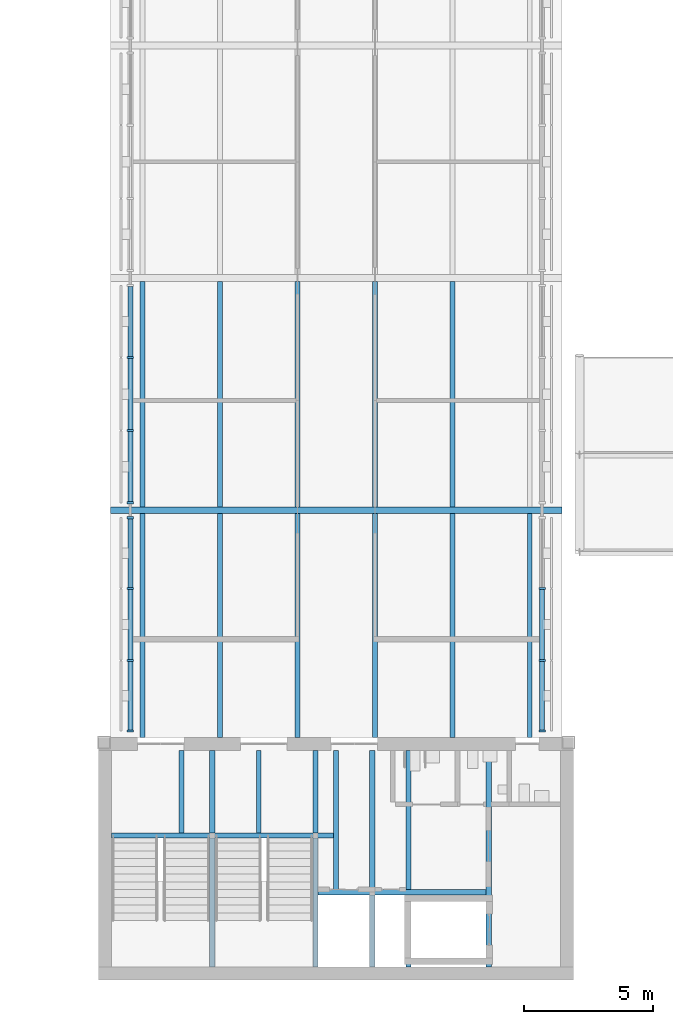
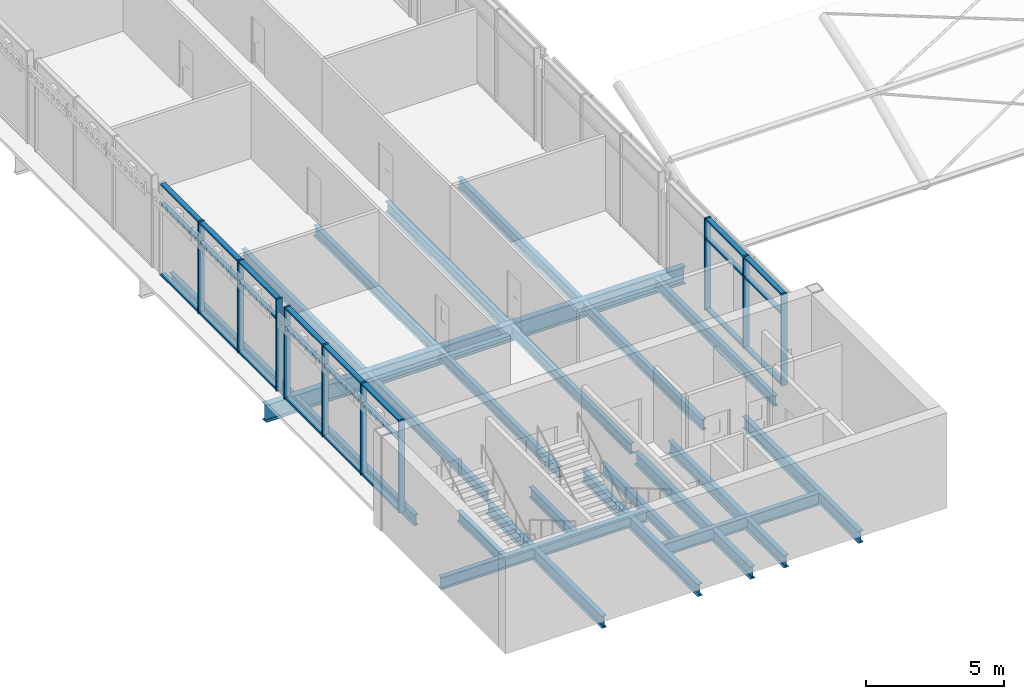
# One storey, part 3 of 54: 34 members, 26 beams, 3 elements without a shape of their own.
"""IFC4 building model written with IfcOpenShell, lengths in metres."""

from ifc_helpers import new_model, si_unit, direction, frame, origin, origin_2d, place, context, subcontext, project, spatial, rectangle, i_section, extrude, material, material_profile, profile_set, type_object, element, aggregate, save


model = new_model("IFC4")

# Units and contexts
model_context = context("Model", 3, precision=1e-05, world=origin(), true_north=direction((0.0, 1.0)))
body_context = subcontext(model_context, "Body", "Model", "MODEL_VIEW")
ifc_project = project(units=[si_unit("LENGTHUNIT", "METRE"), si_unit("AREAUNIT", "SQUARE_METRE"), si_unit("VOLUMEUNIT", "CUBIC_METRE"), si_unit("PLANEANGLEUNIT", "RADIAN"), si_unit("MASSUNIT", "GRAM", prefix="KILO")], contexts=[model_context])

# Site, building, storey
site_placement = place(None, origin())
site = spatial("IfcSite", under=ifc_project, at=site_placement, CompositionType="ELEMENT")
building_placement = place(site_placement, origin())
building = spatial("IfcBuilding", under=site, at=building_placement, Name="Baradari Gate Terminus", CompositionType="ELEMENT")
storey_placement = place(building_placement, frame((0.0, 0.0, 15.89990234375)))
storey = spatial("IfcBuildingStorey", under=building, at=storey_placement, Name="L03", CompositionType="ELEMENT", Elevation=15.89990234375)

# Beams
ifc_material_1 = material(Name="Steel S355", Category="steel")
ifc_material_profile_1 = material_profile(ifc_material_1, i_section(OverallWidth=0.19140625, OverallDepth=0.4599609375, WebThickness=0.010009765625, FlangeThickness=0.01611328125, FilletRadius=0.01025390625, at=origin_2d()), Name="UB 457x191x82")
ifc_profile_set_1 = profile_set([ifc_material_profile_1], Name="Steel S355")
beam_type_1 = type_object("IfcBeamType", Name="Core floor beam B66 UB 457x191x82", PredefinedType="BEAM", material=ifc_profile_set_1)
for number, where, z_axis, x_axis, name in (
    (1, (75.0, 32.504638671875, -0.3798828125), (0.0, 1.0, 0.0), (-1.0, 0.0, 0.0), "Core floor beam B66 75:32.505-35.7 L03"),
    (2, (78.0, 32.504638671875, -0.3798828125), (0.0, 1.0, 0.0), (-1.0, 0.0, 0.0), "Core floor beam B66 78:32.505-35.7 L03"),
):
    element("IfcBeam", number, at=place(storey_placement, frame(where, z_axis=z_axis, x_axis=x_axis)), inside=storey, type_object=beam_type_1, Name=name, PredefinedType="BEAM", context=body_context, shape_type="SweptSolid", body=[
        extrude(i_section(OverallWidth=0.19140625, OverallDepth=0.4599609375, WebThickness=0.010009765625, FlangeThickness=0.01611328125, FilletRadius=0.01025390625, at=origin_2d()), origin(), (0.0, 0.0, 1.0), 3.1953125),
    ])
beam_1_placement = place(storey_placement, frame((81.0, 30.3046875, -0.3798828125), z_axis=(0.0, 1.0, 0.0), x_axis=(-1.0, 0.0, 0.0)))
element("IfcBeam", 3, at=beam_1_placement, inside=storey, type_object=beam_type_1, Name="Core floor beam B66 10:30.305-35.7 L03", PredefinedType="BEAM", context=body_context, shape_type="SweptSolid", body=[
    extrude(i_section(OverallWidth=0.19140625, OverallDepth=0.4599609375, WebThickness=0.010009765625, FlangeThickness=0.01611328125, FilletRadius=0.01025390625, at=origin_2d()), origin(), (0.0, 0.0, 1.0), 5.395263671875),
])
ifc_material_2 = material(Name="Steel S355", Category="steel")
ifc_material_profile_2 = material_profile(ifc_material_2, i_section(OverallWidth=0.209228515625, OverallDepth=0.533203125, WebThickness=0.010009765625, FlangeThickness=0.015625, FilletRadius=0.0126953125, at=origin_2d()), Name="UB 533x210x92")
ifc_profile_set_2 = profile_set([ifc_material_profile_2], Name="Steel S355")
beam_type_2 = type_object("IfcBeamType", Name="Core floor trimmer beam B65 UB 533x210x92", PredefinedType="BEAM", material=ifc_profile_set_2)
beam_2_placement = place(storey_placement, frame((80.3046875, 30.199951171875, -0.41650390625), z_axis=(1.0, 0.0, 0.0), x_axis=(0.0, 1.0, 0.0)))
element("IfcBeam", 4, at=beam_2_placement, inside=storey, type_object=beam_type_2, Name="Core floor trimmer beam B65 30.2:80.305-86.8 L03", PredefinedType="BEAM", context=body_context, shape_type="SweptSolid", body=[
    extrude(i_section(OverallWidth=0.209228515625, OverallDepth=0.533203125, WebThickness=0.010009765625, FlangeThickness=0.015625, FilletRadius=0.0126953125, at=origin_2d()), origin(), (0.0, 0.0, 1.0), 6.49560546875),
])
beam_3_placement = place(storey_placement, frame((72.300048828125, 32.39990234375, -0.41650390625), z_axis=(1.0, 0.0, 0.0), x_axis=(0.0, 1.0, 0.0)))
element("IfcBeam", 5, at=beam_3_placement, inside=storey, type_object=beam_type_2, Name="Core floor trimmer beam B65 32.4:72.3-80.904 L03", PredefinedType="BEAM", context=body_context, shape_type="SweptSolid", body=[
    extrude(i_section(OverallWidth=0.209228515625, OverallDepth=0.533203125, WebThickness=0.010009765625, FlangeThickness=0.015625, FilletRadius=0.0126953125, at=origin_2d()), origin(), (0.0, 0.0, 1.0), 8.604248046875),
])
beam_4_placement = place(storey_placement, frame((86.905029296875, 27.300048828125, -0.41650390625), z_axis=(0.0, 1.0, 0.0), x_axis=(-1.0, 0.0, 0.0)))
element("IfcBeam", 6, at=beam_4_placement, inside=storey, type_object=beam_type_2, Name="Core floor trimmer beam B65 86.905:27.3-35.7 L03", PredefinedType="BEAM", context=body_context, shape_type="SweptSolid", body=[
    extrude(i_section(OverallWidth=0.209228515625, OverallDepth=0.533203125, WebThickness=0.010009765625, FlangeThickness=0.015625, FilletRadius=0.0126953125, at=origin_2d()), origin(), (0.0, 0.0, 1.0), 8.39990234375),
])
beam_5_placement = place(storey_placement, frame((82.39990234375, 27.300048828125, -0.41650390625), z_axis=(0.0, 1.0, 0.0), x_axis=(-1.0, 0.0, 0.0)))
element("IfcBeam", 7, at=beam_5_placement, inside=storey, type_object=beam_type_2, Name="Core floor trimmer beam B65 82.4:27.3-30.095 L03", PredefinedType="BEAM", context=body_context, shape_type="SweptSolid", body=[
    extrude(i_section(OverallWidth=0.209228515625, OverallDepth=0.533203125, WebThickness=0.010009765625, FlangeThickness=0.015625, FilletRadius=0.0126953125, at=origin_2d()), origin(), (0.0, 0.0, 1.0), 2.795166015625),
])
beam_6_placement = place(storey_placement, frame((82.39990234375, 30.3046875, -0.41650390625), z_axis=(0.0, 1.0, 0.0), x_axis=(-1.0, 0.0, 0.0)))
element("IfcBeam", 8, at=beam_6_placement, inside=storey, type_object=beam_type_2, Name="Core floor trimmer beam B65 82.4:30.305-35.7 L03", PredefinedType="BEAM", context=body_context, shape_type="SweptSolid", body=[
    extrude(i_section(OverallWidth=0.209228515625, OverallDepth=0.533203125, WebThickness=0.010009765625, FlangeThickness=0.015625, FilletRadius=0.0126953125, at=origin_2d()), origin(), (0.0, 0.0, 1.0), 5.395263671875),
])
beam_7_placement = place(storey_placement, frame((83.800048828125, 27.300048828125, -0.41650390625), z_axis=(0.0, 1.0, 0.0), x_axis=(-1.0, 0.0, 0.0)))
element("IfcBeam", 9, at=beam_7_placement, inside=storey, type_object=beam_type_2, Name="Core floor trimmer beam B65 83.8:27.3-30.095 L03", PredefinedType="BEAM", context=body_context, shape_type="SweptSolid", body=[
    extrude(i_section(OverallWidth=0.209228515625, OverallDepth=0.533203125, WebThickness=0.010009765625, FlangeThickness=0.015625, FilletRadius=0.0126953125, at=origin_2d()), origin(), (0.0, 0.0, 1.0), 2.795166015625),
])
beam_8_placement = place(storey_placement, frame((83.800048828125, 30.3046875, -0.41650390625), z_axis=(0.0, 1.0, 0.0), x_axis=(-1.0, 0.0, 0.0)))
element("IfcBeam", 10, at=beam_8_placement, inside=storey, type_object=beam_type_2, Name="Core floor trimmer beam B65 83.8:30.305-35.7 L03", PredefinedType="BEAM", context=body_context, shape_type="SweptSolid", body=[
    extrude(i_section(OverallWidth=0.209228515625, OverallDepth=0.533203125, WebThickness=0.010009765625, FlangeThickness=0.015625, FilletRadius=0.0126953125, at=origin_2d()), origin(), (0.0, 0.0, 1.0), 5.395263671875),
])
beam_9_placement = place(storey_placement, frame((76.199951171875, 27.300048828125, -0.41650390625), z_axis=(0.0, 1.0, 0.0), x_axis=(-1.0, 0.0, 0.0)))
element("IfcBeam", 11, at=beam_9_placement, inside=storey, type_object=beam_type_2, Name="Core floor trimmer beam B65 76.2:27.3-32.295 L03", PredefinedType="BEAM", context=body_context, shape_type="SweptSolid", body=[
    extrude(i_section(OverallWidth=0.209228515625, OverallDepth=0.533203125, WebThickness=0.010009765625, FlangeThickness=0.015625, FilletRadius=0.0126953125, at=origin_2d()), origin(), (0.0, 0.0, 1.0), 4.995361328125),
])
beam_10_placement = place(storey_placement, frame((76.199951171875, 32.504638671875, -0.41650390625), z_axis=(0.0, 1.0, 0.0), x_axis=(-1.0, 0.0, 0.0)))
element("IfcBeam", 12, at=beam_10_placement, inside=storey, type_object=beam_type_2, Name="Core floor trimmer beam B65 76.2:32.505-35.7 L03", PredefinedType="BEAM", context=body_context, shape_type="SweptSolid", body=[
    extrude(i_section(OverallWidth=0.209228515625, OverallDepth=0.533203125, WebThickness=0.010009765625, FlangeThickness=0.015625, FilletRadius=0.0126953125, at=origin_2d()), origin(), (0.0, 0.0, 1.0), 3.1953125),
])
beam_11_placement = place(storey_placement, frame((80.199951171875, 27.300048828125, -0.41650390625), z_axis=(0.0, 1.0, 0.0), x_axis=(-1.0, 0.0, 0.0)))
element("IfcBeam", 13, at=beam_11_placement, inside=storey, type_object=beam_type_2, Name="Core floor trimmer beam B65 80.2:27.3-32.295 L03", PredefinedType="BEAM", context=body_context, shape_type="SweptSolid", body=[
    extrude(i_section(OverallWidth=0.209228515625, OverallDepth=0.533203125, WebThickness=0.010009765625, FlangeThickness=0.015625, FilletRadius=0.0126953125, at=origin_2d()), origin(), (0.0, 0.0, 1.0), 4.995361328125),
])
beam_12_placement = place(storey_placement, frame((80.199951171875, 32.504638671875, -0.41650390625), z_axis=(0.0, 1.0, 0.0), x_axis=(-1.0, 0.0, 0.0)))
element("IfcBeam", 14, at=beam_12_placement, inside=storey, type_object=beam_type_2, Name="Core floor trimmer beam B65 80.2:32.505-35.7 L03", PredefinedType="BEAM", context=body_context, shape_type="SweptSolid", body=[
    extrude(i_section(OverallWidth=0.209228515625, OverallDepth=0.533203125, WebThickness=0.010009765625, FlangeThickness=0.015625, FilletRadius=0.0126953125, at=origin_2d()), origin(), (0.0, 0.0, 1.0), 3.1953125),
])

# Curtain wall, members
ifc_material_3 = material(Name="Aluminium 6063-T6", Category="aluminium")
curtain_wall_type = type_object("IfcCurtainWallType", Name="Curtain wall CW-3 gate face, office floors", PredefinedType="NOTDEFINED", material=ifc_material_3)
curtain_wall_1_placement = place(storey_placement, origin())
curtain_wall_1 = element("IfcCurtainWall", 15, at=curtain_wall_1_placement, inside=storey, type_object=curtain_wall_type, Name="Curtain wall CW-3 gate west face L03 bay 1", PredefinedType="NOTDEFINED")
ifc_material_4 = material(Name="Aluminium 6063-T6", Category="aluminium")
ifc_material_profile_3 = material_profile(ifc_material_4, rectangle(XDim=0.25, YDim=0.080078125, at=origin_2d()), Name="CM-3 80X250")
ifc_profile_set_3 = profile_set([ifc_material_profile_3], Name="Aluminium 6063-T6")
member_type_1 = type_object("IfcMemberType", Name="Curtain wall mullion CM-3 80x250", PredefinedType="MULLION", material=ifc_profile_set_3)
member_1_placement = place(storey_placement, frame((73.02490234375, 36.43994140625, 0.0), z_axis=(0.0, 0.0, 1.0), x_axis=(-1.0, 0.0, 0.0)))
member_1 = element("IfcMember", 16, at=member_1_placement, type_object=member_type_1, Name="CW-3 mullion 1", PredefinedType="MULLION", context=body_context, shape_type="SweptSolid", body=[
    extrude(rectangle(XDim=0.25, YDim=0.080078125, at=origin_2d()), origin(), (0.0, 0.0, 1.0), 4.050048828125),
])
member_2_placement = place(storey_placement, frame((73.02490234375, 39.183349609375, 0.0), z_axis=(0.0, 0.0, 1.0), x_axis=(-1.0, 0.0, 0.0)))
member_2 = element("IfcMember", 17, at=member_2_placement, type_object=member_type_1, Name="CW-3 mullion 2", PredefinedType="MULLION", context=body_context, shape_type="SweptSolid", body=[
    extrude(rectangle(XDim=0.25, YDim=0.080078125, at=origin_2d()), origin(), (0.0, 0.0, 1.0), 4.050048828125),
])
member_3_placement = place(storey_placement, frame((73.02490234375, 41.966552734375, 0.0), z_axis=(0.0, 0.0, 1.0), x_axis=(-1.0, 0.0, 0.0)))
member_3 = element("IfcMember", 18, at=member_3_placement, type_object=member_type_1, Name="CW-3 mullion 3", PredefinedType="MULLION", context=body_context, shape_type="SweptSolid", body=[
    extrude(rectangle(XDim=0.25, YDim=0.080078125, at=origin_2d()), origin(), (0.0, 0.0, 1.0), 4.050048828125),
])
member_4_placement = place(storey_placement, frame((73.02490234375, 44.7099609375, 0.0), z_axis=(0.0, 0.0, 1.0), x_axis=(-1.0, 0.0, 0.0)))
member_4 = element("IfcMember", 19, at=member_4_placement, type_object=member_type_1, Name="CW-3 mullion 4", PredefinedType="MULLION", context=body_context, shape_type="SweptSolid", body=[
    extrude(rectangle(XDim=0.25, YDim=0.080078125, at=origin_2d()), origin(), (0.0, 0.0, 1.0), 4.050048828125),
])

curtain_wall_2_placement = place(storey_placement, origin())
curtain_wall_2 = element("IfcCurtainWall", 20, at=curtain_wall_2_placement, inside=storey, type_object=curtain_wall_type, Name="Curtain wall CW-3 gate west face L03 bay 2", PredefinedType="NOTDEFINED")
member_5_placement = place(storey_placement, frame((73.02490234375, 45.2900390625, 0.0), z_axis=(0.0, 0.0, 1.0), x_axis=(-1.0, 0.0, 0.0)))
member_5 = element("IfcMember", 21, at=member_5_placement, type_object=member_type_1, Name="CW-3 mullion 1", PredefinedType="MULLION", context=body_context, shape_type="SweptSolid", body=[
    extrude(rectangle(XDim=0.25, YDim=0.080078125, at=origin_2d()), origin(), (0.0, 0.0, 1.0), 4.050048828125),
])
member_6_placement = place(storey_placement, frame((73.02490234375, 48.083251953125, 0.0), z_axis=(0.0, 0.0, 1.0), x_axis=(-1.0, 0.0, 0.0)))
member_6 = element("IfcMember", 22, at=member_6_placement, type_object=member_type_1, Name="CW-3 mullion 2", PredefinedType="MULLION", context=body_context, shape_type="SweptSolid", body=[
    extrude(rectangle(XDim=0.25, YDim=0.080078125, at=origin_2d()), origin(), (0.0, 0.0, 1.0), 4.050048828125),
])
member_7_placement = place(storey_placement, frame((73.02490234375, 50.916748046875, 0.0), z_axis=(0.0, 0.0, 1.0), x_axis=(-1.0, 0.0, 0.0)))
member_7 = element("IfcMember", 23, at=member_7_placement, type_object=member_type_1, Name="CW-3 mullion 3", PredefinedType="MULLION", context=body_context, shape_type="SweptSolid", body=[
    extrude(rectangle(XDim=0.25, YDim=0.080078125, at=origin_2d()), origin(), (0.0, 0.0, 1.0), 4.050048828125),
])

curtain_wall_3_placement = place(storey_placement, origin())
curtain_wall_3 = element("IfcCurtainWall", 24, at=curtain_wall_3_placement, inside=storey, type_object=curtain_wall_type, Name="Curtain wall CW-3 gate east face L03 bay 1", PredefinedType="NOTDEFINED")
member_8_placement = place(storey_placement, frame((88.97509765625, 36.43994140625, 0.0), z_axis=(0.0, 0.0, 1.0), x_axis=(-1.0, 0.0, 0.0)))
member_8 = element("IfcMember", 25, at=member_8_placement, type_object=member_type_1, Name="CW-3 mullion 1", PredefinedType="MULLION", context=body_context, shape_type="SweptSolid", body=[
    extrude(rectangle(XDim=0.25, YDim=0.080078125, at=origin_2d()), origin(), (0.0, 0.0, 1.0), 4.050048828125),
])
member_9_placement = place(storey_placement, frame((88.97509765625, 39.183349609375, 0.0), z_axis=(0.0, 0.0, 1.0), x_axis=(-1.0, 0.0, 0.0)))
member_9 = element("IfcMember", 26, at=member_9_placement, type_object=member_type_1, Name="CW-3 mullion 2", PredefinedType="MULLION", context=body_context, shape_type="SweptSolid", body=[
    extrude(rectangle(XDim=0.25, YDim=0.080078125, at=origin_2d()), origin(), (0.0, 0.0, 1.0), 4.050048828125),
])
member_10_placement = place(storey_placement, frame((88.97509765625, 41.966552734375, 0.0), z_axis=(0.0, 0.0, 1.0), x_axis=(-1.0, 0.0, 0.0)))
member_10 = element("IfcMember", 27, at=member_10_placement, type_object=member_type_1, Name="CW-3 mullion 3", PredefinedType="MULLION", context=body_context, shape_type="SweptSolid", body=[
    extrude(rectangle(XDim=0.25, YDim=0.080078125, at=origin_2d()), origin(), (0.0, 0.0, 1.0), 4.050048828125),
])

# Member
ifc_material_5 = material(Name="Aluminium 6063-T6", Category="aluminium")
ifc_material_profile_4 = material_profile(ifc_material_5, rectangle(XDim=0.199951171875, YDim=0.080078125, at=origin_2d()), Name="CT-3 80X200")
ifc_profile_set_4 = profile_set([ifc_material_profile_4], Name="Aluminium 6063-T6")
member_type_2 = type_object("IfcMemberType", Name="Curtain wall transom CT-3 80x200", PredefinedType="USERDEFINED", material=ifc_profile_set_4)
member_11_placement = place(storey_placement, frame((73.02490234375, 36.47998046875, 0.0400390625), z_axis=(0.0, 1.0, 0.0), x_axis=(-1.0, 0.0, 0.0)))
member_11 = element("IfcMember", 28, at=member_11_placement, type_object=member_type_2, Name="CW-3 transom 1.1", ObjectType="TRANSOM", PredefinedType="USERDEFINED", context=body_context, shape_type="SweptSolid", body=[
    extrude(rectangle(XDim=0.199951171875, YDim=0.080078125, at=origin_2d()), origin(), (0.0, 0.0, 1.0), 2.663330078125),
])

member_12_placement = place(storey_placement, frame((73.02490234375, 36.47998046875, 3.150146484375), z_axis=(0.0, 1.0, 0.0), x_axis=(-1.0, 0.0, 0.0)))
member_12 = element("IfcMember", 29, at=member_12_placement, type_object=member_type_2, Name="CW-3 transom 1.2", ObjectType="TRANSOM", PredefinedType="USERDEFINED", context=body_context, shape_type="SweptSolid", body=[
    extrude(rectangle(XDim=0.199951171875, YDim=0.080078125, at=origin_2d()), origin(), (0.0, 0.0, 1.0), 2.663330078125),
])

member_13_placement = place(storey_placement, frame((73.02490234375, 36.47998046875, 4.010009765625), z_axis=(0.0, 1.0, 0.0), x_axis=(-1.0, 0.0, 0.0)))
member_13 = element("IfcMember", 30, at=member_13_placement, type_object=member_type_2, Name="CW-3 transom 1.3", ObjectType="TRANSOM", PredefinedType="USERDEFINED", context=body_context, shape_type="SweptSolid", body=[
    extrude(rectangle(XDim=0.199951171875, YDim=0.080078125, at=origin_2d()), origin(), (0.0, 0.0, 1.0), 2.663330078125),
])

member_14_placement = place(storey_placement, frame((73.02490234375, 39.223388671875, 0.0400390625), z_axis=(0.0, 1.0, 0.0), x_axis=(-1.0, 0.0, 0.0)))
member_14 = element("IfcMember", 31, at=member_14_placement, type_object=member_type_2, Name="CW-3 transom 2.1", ObjectType="TRANSOM", PredefinedType="USERDEFINED", context=body_context, shape_type="SweptSolid", body=[
    extrude(rectangle(XDim=0.199951171875, YDim=0.080078125, at=origin_2d()), origin(), (0.0, 0.0, 1.0), 2.703369140625),
])

member_15_placement = place(storey_placement, frame((73.02490234375, 39.223388671875, 3.150146484375), z_axis=(0.0, 1.0, 0.0), x_axis=(-1.0, 0.0, 0.0)))
member_15 = element("IfcMember", 32, at=member_15_placement, type_object=member_type_2, Name="CW-3 transom 2.2", ObjectType="TRANSOM", PredefinedType="USERDEFINED", context=body_context, shape_type="SweptSolid", body=[
    extrude(rectangle(XDim=0.199951171875, YDim=0.080078125, at=origin_2d()), origin(), (0.0, 0.0, 1.0), 2.703369140625),
])

member_16_placement = place(storey_placement, frame((73.02490234375, 39.223388671875, 4.010009765625), z_axis=(0.0, 1.0, 0.0), x_axis=(-1.0, 0.0, 0.0)))
member_16 = element("IfcMember", 33, at=member_16_placement, type_object=member_type_2, Name="CW-3 transom 2.3", ObjectType="TRANSOM", PredefinedType="USERDEFINED", context=body_context, shape_type="SweptSolid", body=[
    extrude(rectangle(XDim=0.199951171875, YDim=0.080078125, at=origin_2d()), origin(), (0.0, 0.0, 1.0), 2.703369140625),
])

member_17_placement = place(storey_placement, frame((73.02490234375, 42.006591796875, 0.0400390625), z_axis=(0.0, 1.0, 0.0), x_axis=(-1.0, 0.0, 0.0)))
member_17 = element("IfcMember", 34, at=member_17_placement, type_object=member_type_2, Name="CW-3 transom 3.1", ObjectType="TRANSOM", PredefinedType="USERDEFINED", context=body_context, shape_type="SweptSolid", body=[
    extrude(rectangle(XDim=0.199951171875, YDim=0.080078125, at=origin_2d()), origin(), (0.0, 0.0, 1.0), 2.663330078125),
])

member_18_placement = place(storey_placement, frame((73.02490234375, 42.006591796875, 3.150146484375), z_axis=(0.0, 1.0, 0.0), x_axis=(-1.0, 0.0, 0.0)))
member_18 = element("IfcMember", 35, at=member_18_placement, type_object=member_type_2, Name="CW-3 transom 3.2", ObjectType="TRANSOM", PredefinedType="USERDEFINED", context=body_context, shape_type="SweptSolid", body=[
    extrude(rectangle(XDim=0.199951171875, YDim=0.080078125, at=origin_2d()), origin(), (0.0, 0.0, 1.0), 2.663330078125),
])

member_19_placement = place(storey_placement, frame((73.02490234375, 42.006591796875, 4.010009765625), z_axis=(0.0, 1.0, 0.0), x_axis=(-1.0, 0.0, 0.0)))
member_19 = element("IfcMember", 36, at=member_19_placement, type_object=member_type_2, Name="CW-3 transom 3.3", ObjectType="TRANSOM", PredefinedType="USERDEFINED", context=body_context, shape_type="SweptSolid", body=[
    extrude(rectangle(XDim=0.199951171875, YDim=0.080078125, at=origin_2d()), origin(), (0.0, 0.0, 1.0), 2.663330078125),
])

aggregate(curtain_wall_1, [member_1, member_2, member_3, member_4, member_11, member_12, member_13, member_14, member_15, member_16, member_17, member_18, member_19])

member_20_placement = place(storey_placement, frame((73.02490234375, 45.330078125, 0.0400390625), z_axis=(0.0, 1.0, 0.0), x_axis=(-1.0, 0.0, 0.0)))
member_20 = element("IfcMember", 37, at=member_20_placement, type_object=member_type_2, Name="CW-3 transom 1.1", ObjectType="TRANSOM", PredefinedType="USERDEFINED", context=body_context, shape_type="SweptSolid", body=[
    extrude(rectangle(XDim=0.199951171875, YDim=0.080078125, at=origin_2d()), origin(), (0.0, 0.0, 1.0), 2.713134765625),
])

member_21_placement = place(storey_placement, frame((73.02490234375, 45.330078125, 3.150146484375), z_axis=(0.0, 1.0, 0.0), x_axis=(-1.0, 0.0, 0.0)))
member_21 = element("IfcMember", 38, at=member_21_placement, type_object=member_type_2, Name="CW-3 transom 1.2", ObjectType="TRANSOM", PredefinedType="USERDEFINED", context=body_context, shape_type="SweptSolid", body=[
    extrude(rectangle(XDim=0.199951171875, YDim=0.080078125, at=origin_2d()), origin(), (0.0, 0.0, 1.0), 2.713134765625),
])

member_22_placement = place(storey_placement, frame((73.02490234375, 45.330078125, 4.010009765625), z_axis=(0.0, 1.0, 0.0), x_axis=(-1.0, 0.0, 0.0)))
member_22 = element("IfcMember", 39, at=member_22_placement, type_object=member_type_2, Name="CW-3 transom 1.3", ObjectType="TRANSOM", PredefinedType="USERDEFINED", context=body_context, shape_type="SweptSolid", body=[
    extrude(rectangle(XDim=0.199951171875, YDim=0.080078125, at=origin_2d()), origin(), (0.0, 0.0, 1.0), 2.713134765625),
])

member_23_placement = place(storey_placement, frame((73.02490234375, 48.123291015625, 0.0400390625), z_axis=(0.0, 1.0, 0.0), x_axis=(-1.0, 0.0, 0.0)))
member_23 = element("IfcMember", 40, at=member_23_placement, type_object=member_type_2, Name="CW-3 transom 2.1", ObjectType="TRANSOM", PredefinedType="USERDEFINED", context=body_context, shape_type="SweptSolid", body=[
    extrude(rectangle(XDim=0.199951171875, YDim=0.080078125, at=origin_2d()), origin(), (0.0, 0.0, 1.0), 2.75341796875),
])

member_24_placement = place(storey_placement, frame((73.02490234375, 48.123291015625, 3.150146484375), z_axis=(0.0, 1.0, 0.0), x_axis=(-1.0, 0.0, 0.0)))
member_24 = element("IfcMember", 41, at=member_24_placement, type_object=member_type_2, Name="CW-3 transom 2.2", ObjectType="TRANSOM", PredefinedType="USERDEFINED", context=body_context, shape_type="SweptSolid", body=[
    extrude(rectangle(XDim=0.199951171875, YDim=0.080078125, at=origin_2d()), origin(), (0.0, 0.0, 1.0), 2.75341796875),
])

member_25_placement = place(storey_placement, frame((73.02490234375, 48.123291015625, 4.010009765625), z_axis=(0.0, 1.0, 0.0), x_axis=(-1.0, 0.0, 0.0)))
member_25 = element("IfcMember", 42, at=member_25_placement, type_object=member_type_2, Name="CW-3 transom 2.3", ObjectType="TRANSOM", PredefinedType="USERDEFINED", context=body_context, shape_type="SweptSolid", body=[
    extrude(rectangle(XDim=0.199951171875, YDim=0.080078125, at=origin_2d()), origin(), (0.0, 0.0, 1.0), 2.75341796875),
])

member_26_placement = place(storey_placement, frame((73.02490234375, 50.956787109375, 0.0400390625), z_axis=(0.0, 1.0, 0.0), x_axis=(-1.0, 0.0, 0.0)))
member_26 = element("IfcMember", 43, at=member_26_placement, type_object=member_type_2, Name="CW-3 transom 3.1", ObjectType="TRANSOM", PredefinedType="USERDEFINED", context=body_context, shape_type="SweptSolid", body=[
    extrude(rectangle(XDim=0.199951171875, YDim=0.080078125, at=origin_2d()), origin(), (0.0, 0.0, 1.0), 2.713134765625),
])

member_27_placement = place(storey_placement, frame((73.02490234375, 50.956787109375, 3.150146484375), z_axis=(0.0, 1.0, 0.0), x_axis=(-1.0, 0.0, 0.0)))
member_27 = element("IfcMember", 44, at=member_27_placement, type_object=member_type_2, Name="CW-3 transom 3.2", ObjectType="TRANSOM", PredefinedType="USERDEFINED", context=body_context, shape_type="SweptSolid", body=[
    extrude(rectangle(XDim=0.199951171875, YDim=0.080078125, at=origin_2d()), origin(), (0.0, 0.0, 1.0), 2.713134765625),
])

member_28_placement = place(storey_placement, frame((73.02490234375, 50.956787109375, 4.010009765625), z_axis=(0.0, 1.0, 0.0), x_axis=(-1.0, 0.0, 0.0)))
member_28 = element("IfcMember", 45, at=member_28_placement, type_object=member_type_2, Name="CW-3 transom 3.3", ObjectType="TRANSOM", PredefinedType="USERDEFINED", context=body_context, shape_type="SweptSolid", body=[
    extrude(rectangle(XDim=0.199951171875, YDim=0.080078125, at=origin_2d()), origin(), (0.0, 0.0, 1.0), 2.713134765625),
])

aggregate(curtain_wall_2, [member_5, member_6, member_7, member_20, member_21, member_22, member_23, member_24, member_25, member_26, member_27, member_28])

member_29_placement = place(storey_placement, frame((88.97509765625, 36.47998046875, 0.0400390625), z_axis=(0.0, 1.0, 0.0), x_axis=(-1.0, 0.0, 0.0)))
member_29 = element("IfcMember", 46, at=member_29_placement, type_object=member_type_2, Name="CW-3 transom 1.1", ObjectType="TRANSOM", PredefinedType="USERDEFINED", context=body_context, shape_type="SweptSolid", body=[
    extrude(rectangle(XDim=0.199951171875, YDim=0.080078125, at=origin_2d()), origin(), (0.0, 0.0, 1.0), 2.663330078125),
])

member_30_placement = place(storey_placement, frame((88.97509765625, 36.47998046875, 3.150146484375), z_axis=(0.0, 1.0, 0.0), x_axis=(-1.0, 0.0, 0.0)))
member_30 = element("IfcMember", 47, at=member_30_placement, type_object=member_type_2, Name="CW-3 transom 1.2", ObjectType="TRANSOM", PredefinedType="USERDEFINED", context=body_context, shape_type="SweptSolid", body=[
    extrude(rectangle(XDim=0.199951171875, YDim=0.080078125, at=origin_2d()), origin(), (0.0, 0.0, 1.0), 2.663330078125),
])

member_31_placement = place(storey_placement, frame((88.97509765625, 36.47998046875, 4.010009765625), z_axis=(0.0, 1.0, 0.0), x_axis=(-1.0, 0.0, 0.0)))
member_31 = element("IfcMember", 48, at=member_31_placement, type_object=member_type_2, Name="CW-3 transom 1.3", ObjectType="TRANSOM", PredefinedType="USERDEFINED", context=body_context, shape_type="SweptSolid", body=[
    extrude(rectangle(XDim=0.199951171875, YDim=0.080078125, at=origin_2d()), origin(), (0.0, 0.0, 1.0), 2.663330078125),
])

member_32_placement = place(storey_placement, frame((88.97509765625, 39.223388671875, 0.0400390625), z_axis=(0.0, 1.0, 0.0), x_axis=(-1.0, 0.0, 0.0)))
member_32 = element("IfcMember", 49, at=member_32_placement, type_object=member_type_2, Name="CW-3 transom 2.1", ObjectType="TRANSOM", PredefinedType="USERDEFINED", context=body_context, shape_type="SweptSolid", body=[
    extrude(rectangle(XDim=0.199951171875, YDim=0.080078125, at=origin_2d()), origin(), (0.0, 0.0, 1.0), 2.703369140625),
])

member_33_placement = place(storey_placement, frame((88.97509765625, 39.223388671875, 3.150146484375), z_axis=(0.0, 1.0, 0.0), x_axis=(-1.0, 0.0, 0.0)))
member_33 = element("IfcMember", 50, at=member_33_placement, type_object=member_type_2, Name="CW-3 transom 2.2", ObjectType="TRANSOM", PredefinedType="USERDEFINED", context=body_context, shape_type="SweptSolid", body=[
    extrude(rectangle(XDim=0.199951171875, YDim=0.080078125, at=origin_2d()), origin(), (0.0, 0.0, 1.0), 2.703369140625),
])

member_34_placement = place(storey_placement, frame((88.97509765625, 39.223388671875, 4.010009765625), z_axis=(0.0, 1.0, 0.0), x_axis=(-1.0, 0.0, 0.0)))
member_34 = element("IfcMember", 51, at=member_34_placement, type_object=member_type_2, Name="CW-3 transom 2.3", ObjectType="TRANSOM", PredefinedType="USERDEFINED", context=body_context, shape_type="SweptSolid", body=[
    extrude(rectangle(XDim=0.199951171875, YDim=0.080078125, at=origin_2d()), origin(), (0.0, 0.0, 1.0), 2.703369140625),
])

aggregate(curtain_wall_3, [member_8, member_9, member_10, member_29, member_30, member_31, member_32, member_33, member_34])

# Beams
ifc_material_6 = material(Name="Steel S355", Category="steel")
ifc_material_profile_5 = material_profile(ifc_material_6, i_section(OverallWidth=0.2666015625, OverallDepth=0.76220703125, WebThickness=0.014404296875, FlangeThickness=0.021484375, FilletRadius=0.0166015625, at=origin_2d()), Name="UB 762x267x173")
ifc_profile_set_5 = profile_set([ifc_material_profile_5], Name="Steel S355")
beam_type_3 = type_object("IfcBeamType", Name="Gate girder B30 UB 762x267x173", PredefinedType="BEAM", material=ifc_profile_set_5)
beam_13_placement = place(storey_placement, frame((72.25, 45.0, -0.531005859375), z_axis=(1.0, 0.0, 0.0), x_axis=(0.0, 1.0, 0.0)))
element("IfcBeam", 52, at=beam_13_placement, inside=storey, type_object=beam_type_3, Name="Gate girder B30 F:72.25-89.75 L03", PredefinedType="BEAM", context=body_context, shape_type="SweptSolid", body=[
    extrude(i_section(OverallWidth=0.2666015625, OverallDepth=0.76220703125, WebThickness=0.014404296875, FlangeThickness=0.021484375, FilletRadius=0.0166015625, at=origin_2d()), origin(), (0.0, 0.0, 1.0), 17.5),
])
ifc_material_7 = material(Name="Steel S355", Category="steel")
ifc_material_profile_6 = material_profile(ifc_material_7, i_section(OverallWidth=0.19140625, OverallDepth=0.4599609375, WebThickness=0.010009765625, FlangeThickness=0.01611328125, FilletRadius=0.01025390625, at=origin_2d()), Name="UB 457x191x82")
ifc_profile_set_6 = profile_set([ifc_material_profile_6], Name="Steel S355")
beam_type_4 = type_object("IfcBeamType", Name="Gate secondary beam B31 UB 457x191x82", PredefinedType="BEAM", material=ifc_profile_set_6)
beam_14_placement = place(storey_placement, frame((73.5, 36.199951171875, -0.3798828125), z_axis=(0.0, 1.0, 0.0), x_axis=(-1.0, 0.0, 0.0)))
element("IfcBeam", 53, at=beam_14_placement, inside=storey, type_object=beam_type_4, Name="Gate secondary beam B31 73.5:36.2-44.867 L03", PredefinedType="BEAM", context=body_context, shape_type="SweptSolid", body=[
    extrude(i_section(OverallWidth=0.19140625, OverallDepth=0.4599609375, WebThickness=0.010009765625, FlangeThickness=0.01611328125, FilletRadius=0.01025390625, at=origin_2d()), origin(), (0.0, 0.0, 1.0), 8.666748046875),
])
beam_15_placement = place(storey_placement, frame((73.5, 45.13330078125, -0.3798828125), z_axis=(0.0, 1.0, 0.0), x_axis=(-1.0, 0.0, 0.0)))
element("IfcBeam", 54, at=beam_15_placement, inside=storey, type_object=beam_type_4, Name="Gate secondary beam B31 73.5:45.133-53.867 L03", PredefinedType="BEAM", context=body_context, shape_type="SweptSolid", body=[
    extrude(i_section(OverallWidth=0.19140625, OverallDepth=0.4599609375, WebThickness=0.010009765625, FlangeThickness=0.01611328125, FilletRadius=0.01025390625, at=origin_2d()), origin(), (0.0, 0.0, 1.0), 8.7333984375),
])
beam_16_placement = place(storey_placement, frame((76.5, 36.199951171875, -0.3798828125), z_axis=(0.0, 1.0, 0.0), x_axis=(-1.0, 0.0, 0.0)))
element("IfcBeam", 55, at=beam_16_placement, inside=storey, type_object=beam_type_4, Name="Gate secondary beam B31 76.5:36.2-44.867 L03", PredefinedType="BEAM", context=body_context, shape_type="SweptSolid", body=[
    extrude(i_section(OverallWidth=0.19140625, OverallDepth=0.4599609375, WebThickness=0.010009765625, FlangeThickness=0.01611328125, FilletRadius=0.01025390625, at=origin_2d()), origin(), (0.0, 0.0, 1.0), 8.666748046875),
])
beam_17_placement = place(storey_placement, frame((76.5, 45.13330078125, -0.3798828125), z_axis=(0.0, 1.0, 0.0), x_axis=(-1.0, 0.0, 0.0)))
element("IfcBeam", 56, at=beam_17_placement, inside=storey, type_object=beam_type_4, Name="Gate secondary beam B31 76.5:45.133-53.867 L03", PredefinedType="BEAM", context=body_context, shape_type="SweptSolid", body=[
    extrude(i_section(OverallWidth=0.19140625, OverallDepth=0.4599609375, WebThickness=0.010009765625, FlangeThickness=0.01611328125, FilletRadius=0.01025390625, at=origin_2d()), origin(), (0.0, 0.0, 1.0), 8.7333984375),
])
beam_18_placement = place(storey_placement, frame((79.5, 36.199951171875, -0.3798828125), z_axis=(0.0, 1.0, 0.0), x_axis=(-1.0, 0.0, 0.0)))
element("IfcBeam", 57, at=beam_18_placement, inside=storey, type_object=beam_type_4, Name="Gate secondary beam B31 79.5:36.2-44.867 L03", PredefinedType="BEAM", context=body_context, shape_type="SweptSolid", body=[
    extrude(i_section(OverallWidth=0.19140625, OverallDepth=0.4599609375, WebThickness=0.010009765625, FlangeThickness=0.01611328125, FilletRadius=0.01025390625, at=origin_2d()), origin(), (0.0, 0.0, 1.0), 8.666748046875),
])
beam_19_placement = place(storey_placement, frame((79.5, 45.13330078125, -0.3798828125), z_axis=(0.0, 1.0, 0.0), x_axis=(-1.0, 0.0, 0.0)))
element("IfcBeam", 58, at=beam_19_placement, inside=storey, type_object=beam_type_4, Name="Gate secondary beam B31 79.5:45.133-53.867 L03", PredefinedType="BEAM", context=body_context, shape_type="SweptSolid", body=[
    extrude(i_section(OverallWidth=0.19140625, OverallDepth=0.4599609375, WebThickness=0.010009765625, FlangeThickness=0.01611328125, FilletRadius=0.01025390625, at=origin_2d()), origin(), (0.0, 0.0, 1.0), 8.7333984375),
])
beam_20_placement = place(storey_placement, frame((82.5, 36.199951171875, -0.3798828125), z_axis=(0.0, 1.0, 0.0), x_axis=(-1.0, 0.0, 0.0)))
element("IfcBeam", 59, at=beam_20_placement, inside=storey, type_object=beam_type_4, Name="Gate secondary beam B31 82.5:36.2-44.867 L03", PredefinedType="BEAM", context=body_context, shape_type="SweptSolid", body=[
    extrude(i_section(OverallWidth=0.19140625, OverallDepth=0.4599609375, WebThickness=0.010009765625, FlangeThickness=0.01611328125, FilletRadius=0.01025390625, at=origin_2d()), origin(), (0.0, 0.0, 1.0), 8.666748046875),
])
beam_21_placement = place(storey_placement, frame((82.5, 45.13330078125, -0.3798828125), z_axis=(0.0, 1.0, 0.0), x_axis=(-1.0, 0.0, 0.0)))
element("IfcBeam", 60, at=beam_21_placement, inside=storey, type_object=beam_type_4, Name="Gate secondary beam B31 82.5:45.133-53.867 L03", PredefinedType="BEAM", context=body_context, shape_type="SweptSolid", body=[
    extrude(i_section(OverallWidth=0.19140625, OverallDepth=0.4599609375, WebThickness=0.010009765625, FlangeThickness=0.01611328125, FilletRadius=0.01025390625, at=origin_2d()), origin(), (0.0, 0.0, 1.0), 8.7333984375),
])
beam_22_placement = place(storey_placement, frame((85.5, 36.199951171875, -0.3798828125), z_axis=(0.0, 1.0, 0.0), x_axis=(-1.0, 0.0, 0.0)))
element("IfcBeam", 61, at=beam_22_placement, inside=storey, type_object=beam_type_4, Name="Gate secondary beam B31 85.5:36.2-44.867 L03", PredefinedType="BEAM", context=body_context, shape_type="SweptSolid", body=[
    extrude(i_section(OverallWidth=0.19140625, OverallDepth=0.4599609375, WebThickness=0.010009765625, FlangeThickness=0.01611328125, FilletRadius=0.01025390625, at=origin_2d()), origin(), (0.0, 0.0, 1.0), 8.666748046875),
])
beam_23_placement = place(storey_placement, frame((85.5, 45.13330078125, -0.3798828125), z_axis=(0.0, 1.0, 0.0), x_axis=(-1.0, 0.0, 0.0)))
element("IfcBeam", 62, at=beam_23_placement, inside=storey, type_object=beam_type_4, Name="Gate secondary beam B31 85.5:45.133-53.867 L03", PredefinedType="BEAM", context=body_context, shape_type="SweptSolid", body=[
    extrude(i_section(OverallWidth=0.19140625, OverallDepth=0.4599609375, WebThickness=0.010009765625, FlangeThickness=0.01611328125, FilletRadius=0.01025390625, at=origin_2d()), origin(), (0.0, 0.0, 1.0), 8.7333984375),
])
beam_24_placement = place(storey_placement, frame((88.5, 36.199951171875, -0.3798828125), z_axis=(0.0, 1.0, 0.0), x_axis=(-1.0, 0.0, 0.0)))
element("IfcBeam", 63, at=beam_24_placement, inside=storey, type_object=beam_type_4, Name="Gate secondary beam B31 88.5:36.2-44.867 L03", PredefinedType="BEAM", context=body_context, shape_type="SweptSolid", body=[
    extrude(i_section(OverallWidth=0.19140625, OverallDepth=0.4599609375, WebThickness=0.010009765625, FlangeThickness=0.01611328125, FilletRadius=0.01025390625, at=origin_2d()), origin(), (0.0, 0.0, 1.0), 8.666748046875),
])

save(model, "model.ifc")
